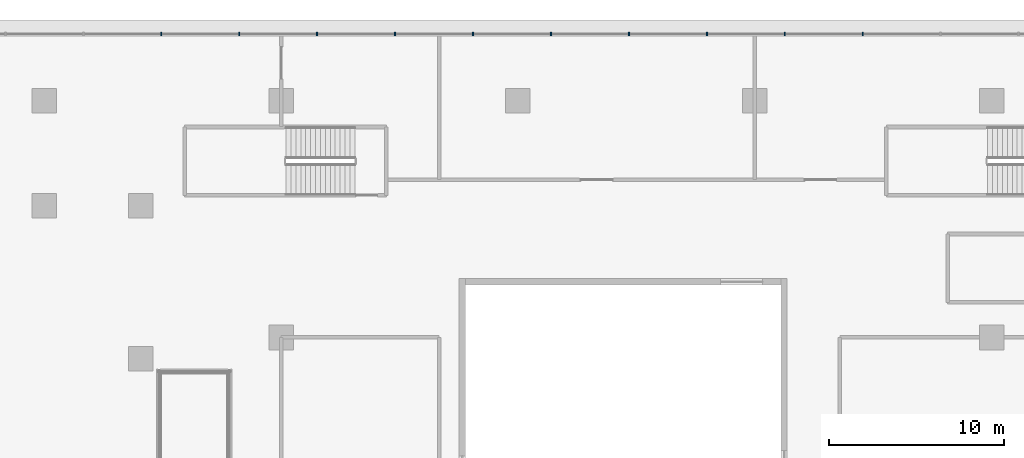
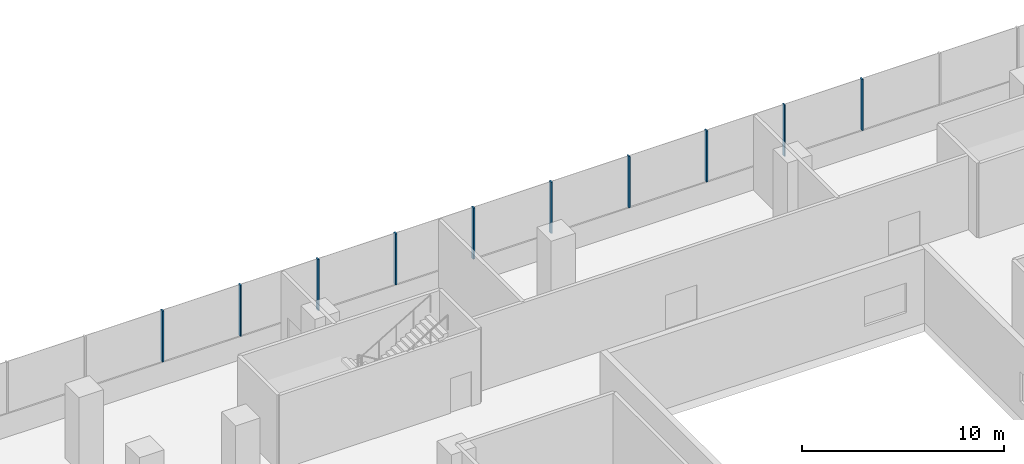
# One storey, part 14 of 44: 10 members, 1 element without a shape of its own.
"""IFC4 building model written with IfcOpenShell, lengths in metres."""

from ifc_helpers import new_model, si_unit, direction, frame, origin, origin_2d, place, context, subcontext, project, spatial, rectangle, extrude, material, layer, layer_set, material_profile, profile_set, type_object, element, aggregate, save


model = new_model("IFC4")

# Units and contexts
model_context = context("Model", 3, precision=1e-05, world=origin(), true_north=direction((0.0, 1.0)))
body_context = subcontext(model_context, "Body", "Model", "MODEL_VIEW")
ifc_project = project(units=[si_unit("LENGTHUNIT", "METRE"), si_unit("AREAUNIT", "SQUARE_METRE"), si_unit("VOLUMEUNIT", "CUBIC_METRE"), si_unit("PLANEANGLEUNIT", "RADIAN"), si_unit("MASSUNIT", "GRAM", prefix="KILO")], contexts=[model_context])

# Site, building, storey
site_placement = place(None, origin())
site = spatial("IfcSite", under=ifc_project, at=site_placement, CompositionType="ELEMENT")
building_placement = place(site_placement, origin())
building = spatial("IfcBuilding", under=site, at=building_placement, Name="Tamarind Cross Interchange Tower", CompositionType="ELEMENT")
storey_placement = place(building_placement, frame((0.0, 0.0, 15.0)))
storey = spatial("IfcBuildingStorey", under=building, at=storey_placement, Name="L02", CompositionType="ELEMENT", Elevation=15.0)

# Curtain wall, members
ifc_material = material(Name="Aluminium 6063-T6", Category="aluminium")
ifc_layer = layer(ifc_material, 0.199951171875)
ifc_layer_set = layer_set([ifc_layer], Name="Aluminium 6063-T6")
curtain_wall_type = type_object("IfcCurtainWallType", Name="Podium shopfront and station curtain wall", PredefinedType="NOTDEFINED", material=ifc_layer_set)
curtain_wall_placement = place(storey_placement, origin())
curtain_wall = element("IfcCurtainWall", 1, at=curtain_wall_placement, inside=storey, type_object=curtain_wall_type, Name="CWS-L02-02", PredefinedType="NOTDEFINED")
ifc_material_profile = material_profile(ifc_material, rectangle(XDim=0.080078125, YDim=0.199951171875, at=origin_2d()), Name="Mullion CW3")
ifc_profile_set = profile_set([ifc_material_profile], Name="Aluminium 6063-T6")
member_type = type_object("IfcMemberType", Name="Mullion CW3", PredefinedType="MULLION", material=ifc_profile_set)
member_1_placement = place(storey_placement, frame((46.654541015625, 57.800048828125, 1.39990234375), z_axis=(0.0, 0.0, 1.0), x_axis=(-1.0, 0.0, 0.0)))
member_1 = element("IfcMember", 2, at=member_1_placement, type_object=member_type, Name="CWM-L02-02-03", PredefinedType="MULLION", context=body_context, shape_type="SweptSolid", body=[
    extrude(rectangle(XDim=0.080078125, YDim=0.199951171875, at=origin_2d()), origin(), (0.0, 0.0, 1.0), 3.10009765625),
])
member_2_placement = place(storey_placement, frame((42.211181640625, 57.800048828125, 1.39990234375), z_axis=(0.0, 0.0, 1.0), x_axis=(-1.0, 0.0, 0.0)))
member_2 = element("IfcMember", 3, at=member_2_placement, type_object=member_type, Name="CWM-L02-02-04", PredefinedType="MULLION", context=body_context, shape_type="SweptSolid", body=[
    extrude(rectangle(XDim=0.080078125, YDim=0.199951171875, at=origin_2d()), origin(), (0.0, 0.0, 1.0), 3.10009765625),
])
member_3_placement = place(storey_placement, frame((37.767822265625, 57.800048828125, 1.39990234375), z_axis=(0.0, 0.0, 1.0), x_axis=(-1.0, 0.0, 0.0)))
member_3 = element("IfcMember", 4, at=member_3_placement, type_object=member_type, Name="CWM-L02-02-05", PredefinedType="MULLION", context=body_context, shape_type="SweptSolid", body=[
    extrude(rectangle(XDim=0.080078125, YDim=0.199951171875, at=origin_2d()), origin(), (0.0, 0.0, 1.0), 3.10009765625),
])
member_4_placement = place(storey_placement, frame((33.32470703125, 57.800048828125, 1.39990234375), z_axis=(0.0, 0.0, 1.0), x_axis=(-1.0, 0.0, 0.0)))
member_4 = element("IfcMember", 5, at=member_4_placement, type_object=member_type, Name="CWM-L02-02-06", PredefinedType="MULLION", context=body_context, shape_type="SweptSolid", body=[
    extrude(rectangle(XDim=0.080078125, YDim=0.199951171875, at=origin_2d()), origin(), (0.0, 0.0, 1.0), 3.10009765625),
])
member_5_placement = place(storey_placement, frame((28.88134765625, 57.800048828125, 1.39990234375), z_axis=(0.0, 0.0, 1.0), x_axis=(-1.0, 0.0, 0.0)))
member_5 = element("IfcMember", 6, at=member_5_placement, type_object=member_type, Name="CWM-L02-02-07", PredefinedType="MULLION", context=body_context, shape_type="SweptSolid", body=[
    extrude(rectangle(XDim=0.080078125, YDim=0.199951171875, at=origin_2d()), origin(), (0.0, 0.0, 1.0), 3.10009765625),
])
member_6_placement = place(storey_placement, frame((24.43798828125, 57.800048828125, 1.39990234375), z_axis=(0.0, 0.0, 1.0), x_axis=(-1.0, 0.0, 0.0)))
member_6 = element("IfcMember", 7, at=member_6_placement, type_object=member_type, Name="CWM-L02-02-08", PredefinedType="MULLION", context=body_context, shape_type="SweptSolid", body=[
    extrude(rectangle(XDim=0.080078125, YDim=0.199951171875, at=origin_2d()), origin(), (0.0, 0.0, 1.0), 3.10009765625),
])
member_7_placement = place(storey_placement, frame((19.994873046875, 57.800048828125, 1.39990234375), z_axis=(0.0, 0.0, 1.0), x_axis=(-1.0, 0.0, 0.0)))
member_7 = element("IfcMember", 8, at=member_7_placement, type_object=member_type, Name="CWM-L02-02-09", PredefinedType="MULLION", context=body_context, shape_type="SweptSolid", body=[
    extrude(rectangle(XDim=0.080078125, YDim=0.199951171875, at=origin_2d()), origin(), (0.0, 0.0, 1.0), 3.10009765625),
])
member_8_placement = place(storey_placement, frame((15.551513671875, 57.800048828125, 1.39990234375), z_axis=(0.0, 0.0, 1.0), x_axis=(-1.0, 0.0, 0.0)))
member_8 = element("IfcMember", 9, at=member_8_placement, type_object=member_type, Name="CWM-L02-02-10", PredefinedType="MULLION", context=body_context, shape_type="SweptSolid", body=[
    extrude(rectangle(XDim=0.080078125, YDim=0.199951171875, at=origin_2d()), origin(), (0.0, 0.0, 1.0), 3.10009765625),
])
member_9_placement = place(storey_placement, frame((11.108154296875, 57.800048828125, 1.39990234375), z_axis=(0.0, 0.0, 1.0), x_axis=(-1.0, 0.0, 0.0)))
member_9 = element("IfcMember", 10, at=member_9_placement, type_object=member_type, Name="CWM-L02-02-11", PredefinedType="MULLION", context=body_context, shape_type="SweptSolid", body=[
    extrude(rectangle(XDim=0.080078125, YDim=0.199951171875, at=origin_2d()), origin(), (0.0, 0.0, 1.0), 3.10009765625),
])
member_10_placement = place(storey_placement, frame((6.6650390625, 57.800048828125, 1.39990234375), z_axis=(0.0, 0.0, 1.0), x_axis=(-1.0, 0.0, 0.0)))
member_10 = element("IfcMember", 11, at=member_10_placement, type_object=member_type, Name="CWM-L02-02-12", PredefinedType="MULLION", context=body_context, shape_type="SweptSolid", body=[
    extrude(rectangle(XDim=0.080078125, YDim=0.199951171875, at=origin_2d()), origin(), (0.0, 0.0, 1.0), 3.10009765625),
])
aggregate(curtain_wall, [member_1, member_2, member_3, member_4, member_5, member_6, member_7, member_8, member_9, member_10])

save(model, "model.ifc")
